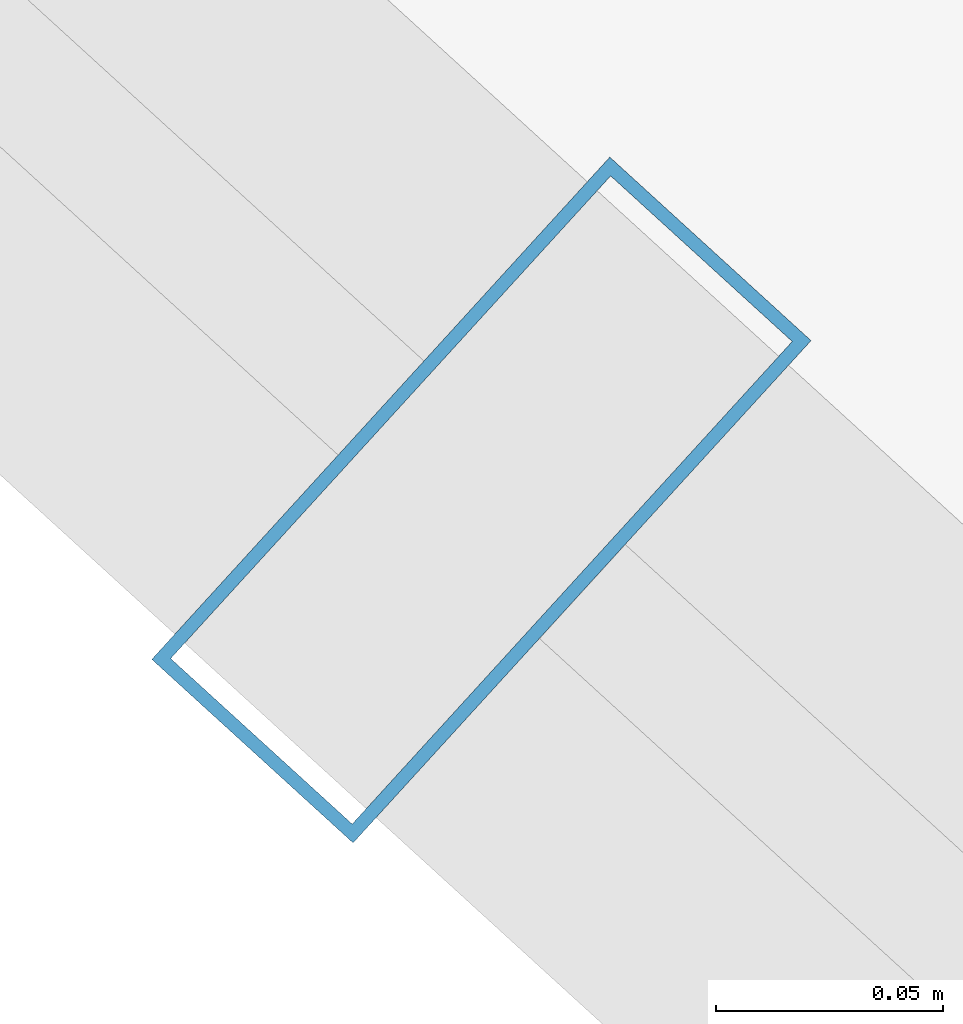
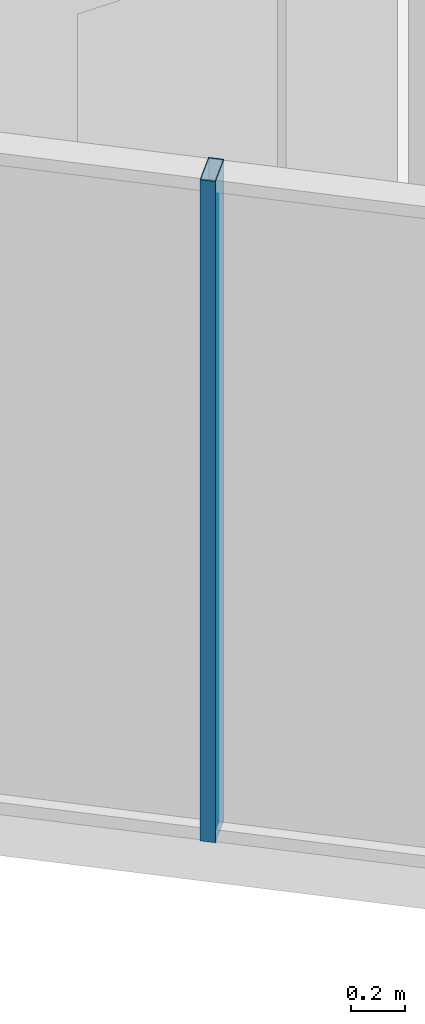
# One storey, part 2 of 28: 1 member, 1 element without a shape of its own.
"""IFC4 building model written with IfcOpenShell, lengths in metres."""

from ifc_helpers import new_model, si_unit, direction, frame, origin, origin_2d, place, context, subcontext, project, spatial, hollow_rectangle, extrude, source, transform, mapped, material, layer, layer_set, material_profile, profile_set, type_object, element, aggregate, save


model = new_model("IFC4")

# Units and contexts
model_context = context("Model", 3, precision=1e-05, world=origin(), true_north=direction((0.0, 1.0)))
body_context = subcontext(model_context, "Body", "Model", "MODEL_VIEW")
ifc_project = project(units=[si_unit("LENGTHUNIT", "METRE"), si_unit("AREAUNIT", "SQUARE_METRE"), si_unit("VOLUMEUNIT", "CUBIC_METRE"), si_unit("PLANEANGLEUNIT", "RADIAN"), si_unit("MASSUNIT", "GRAM", prefix="KILO")], contexts=[model_context])

# Site, building, storey
site_placement = place(None, origin())
site = spatial("IfcSite", under=ifc_project, at=site_placement, CompositionType="ELEMENT")
building_placement = place(site_placement, origin())
building = spatial("IfcBuilding", under=site, at=building_placement, Name="Veraguas Prism Commons", CompositionType="ELEMENT")
storey_placement = place(building_placement, frame((0.0, 0.0, 251.25)))
storey = spatial("IfcBuildingStorey", under=building, at=storey_placement, Name="L71", CompositionType="ELEMENT", Elevation=251.25)

# Curtain wall, member
ifc_material = material(Name="Anodised aluminium EN AW-6063 T6", Category="aluminium")
ifc_layer = layer(ifc_material, 0.14990234375, Name="Unitised Flush Curtain Wall Zone 4", Category="aluminium")
ifc_layer_set = layer_set([ifc_layer], Name="Anodised aluminium EN AW-6063 T6")
curtain_wall_type = type_object("IfcCurtainWallType", Name="Unitised Flush Curtain Wall Zone 4", PredefinedType="NOTDEFINED", material=ifc_layer_set)
curtain_wall_placement = place(storey_placement, origin())
curtain_wall = element("IfcCurtainWall", 1, at=curtain_wall_placement, inside=storey, type_object=curtain_wall_type, Name="Tower Facade Curtain Wall L71-F4", PredefinedType="NOTDEFINED")
ifc_material_profile = material_profile(ifc_material, hollow_rectangle(XDim=0.06005859375, YDim=0.14990234375, WallThickness=0.0029296875, at=origin_2d()), Name="AL60X150X3")
ifc_profile_set = profile_set([ifc_material_profile], Name="Anodised aluminium EN AW-6063 T6")
member_type = type_object("IfcMemberType", Name="Curtain Wall Mullion Upper AL 60x150x3", PredefinedType="MULLION", material=ifc_profile_set)
shared_shape = source(origin(), body_context, "Body", "SweptSolid", [
    extrude(hollow_rectangle(XDim=0.06005859375, YDim=0.14990234375, WallThickness=0.0029296875, at=origin_2d()), origin(), (0.0, 0.0, 1.0), 3.014892578125),
])
member_placement = place(storey_placement, frame((12.9130859375, 11.84130859375, 0.0), z_axis=(0.0, 0.0, 1.0), x_axis=(0.738925912503, -0.673786684219, 0.0)))
member = element("IfcMember", 2, at=member_placement, type_object=member_type, Name="CW-Z4 Mullion 3", PredefinedType="MULLION", context=body_context, shape_type="MappedRepresentation", body=[
    mapped(shared_shape, transform((0.0, 0.0, 0.0), scale=1.0)),
])
aggregate(curtain_wall, [member])

save(model, "model.ifc")
